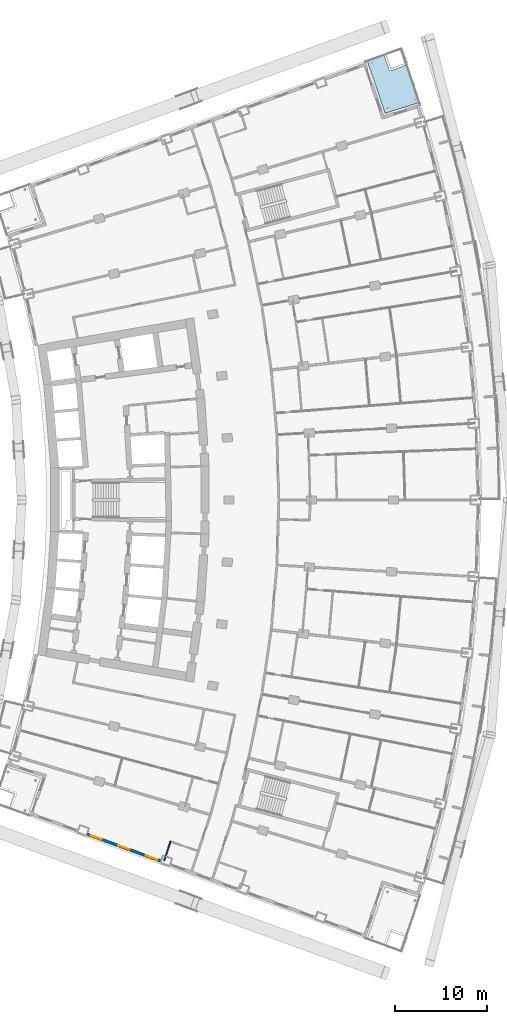
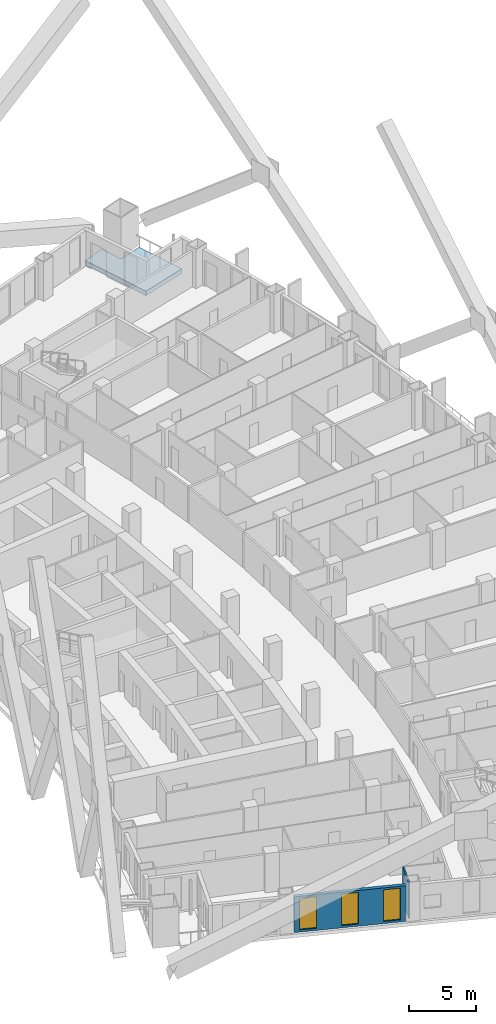
# One storey, part 10 of 23: 3 windows, 2 walls, 1 slab, 3 openings.
"""IFC4 building model written with IfcOpenShell, lengths in metres."""

from ifc_helpers import new_model, si_unit, direction, frame, frame_2d, origin, place, context, subcontext, project, spatial, polyline, rectangle, outline, extrude, material, layer, layer_set, type_object, element, fill, save


model = new_model("IFC4")

# Units and contexts
model_context = context("Model", 3, precision=1e-05, world=origin(), true_north=direction((0.0, 1.0)))
body_context = subcontext(model_context, "Body", "Model", "MODEL_VIEW")
ifc_project = project(units=[si_unit("LENGTHUNIT", "METRE"), si_unit("AREAUNIT", "SQUARE_METRE"), si_unit("VOLUMEUNIT", "CUBIC_METRE"), si_unit("PLANEANGLEUNIT", "RADIAN"), si_unit("MASSUNIT", "GRAM", prefix="KILO")], contexts=[model_context])

# Site, building, storey
site_placement = place(None, origin())
site = spatial("IfcSite", under=ifc_project, at=site_placement, CompositionType="ELEMENT")
building_placement = place(site_placement, origin())
building = spatial("IfcBuilding", under=site, at=building_placement, Name="Alderwake Tower", CompositionType="ELEMENT")
storey_placement = place(building_placement, frame((0.0, 0.0, 53.60009765625)))
storey = spatial("IfcBuildingStorey", under=building, at=storey_placement, Name="L12", CompositionType="ELEMENT", Elevation=53.60009765625)

# Slab
ifc_material_1 = material(Name="Concrete C50/60", Category="concrete")
ifc_layer_1 = layer(ifc_material_1, 0.419921875)
ifc_layer_set_1 = layer_set([ifc_layer_1], Name="Terrace slab 420")
slab_type = type_object("IfcSlabType", Name="Terrace slab 420", PredefinedType="FLOOR", material=ifc_layer_set_1)
slab_placement = place(storey_placement, frame((0.0, 0.0, -0.420166015625)))
element("IfcSlab", 1, at=slab_placement, inside=storey, type_object=slab_type, Name="Corner terrace FN", PredefinedType="FLOOR", context=body_context, shape_type="SweptSolid", body=[
    extrude(outline(polyline([(55.219970703125, 108.135986328125), (55.892822265625, 106.1591796875), (56.537109375, 104.172607421875), (52.72314453125, 102.966796875), (52.096923828125, 104.897705078125), (51.44287109375, 106.8193359375), (50.7607421875, 108.7314453125), (52.59521484375, 109.40087890625), (53.198486328125, 107.71484375), (53.2041015625, 107.701171875), (53.211181640625, 107.688232421875), (53.21923828125, 107.676025390625), (53.228515625, 107.66455078125), (53.239013671875, 107.654296875), (53.25048828125, 107.64501953125), (53.2626953125, 107.63671875), (53.275634765625, 107.6298828125), (53.289306640625, 107.6240234375), (53.30322265625, 107.619873046875), (53.317626953125, 107.616943359375), (53.33251953125, 107.615478515625), (53.34716796875, 107.615478515625), (53.36181640625, 107.616943359375), (53.376220703125, 107.619873046875), (53.390380859375, 107.6240234375), (55.1748046875, 108.2626953125), (55.219970703125, 108.135986328125)])), origin(), (0.0, 0.0, 1.0), 0.420166015625),
])

# Wall, openings, windows
ifc_material_2 = material(Name="Bronze metal cladding on lightweight framing")
ifc_layer_2 = layer(ifc_material_2, 0.300048828125)
ifc_layer_set_2 = layer_set([ifc_layer_2], Name="External wall EW2 bronze metal cladding")
wall_type_1 = type_object("IfcWallType", Name="External wall EW2 bronze metal cladding", PredefinedType="SOLIDWALL", material=ifc_layer_set_2)
wall_1_placement = place(storey_placement, frame((20.398681640625, 24.72412109375, 0.0), z_axis=(0.0, 0.0, 1.0), x_axis=(0.939379066762, -0.342880400328, 0.0)))
wall_1 = element("IfcWall", 2, at=wall_1_placement, inside=storey, type_object=wall_type_1, Name="External wall 5", PredefinedType="SOLIDWALL", context=body_context, shape_type="SweptSolid", body=[
    extrude(rectangle(XDim=8.4951171875, YDim=0.300048828125, at=frame_2d((4.24755859375, 0.0))), origin(), (0.0, 0.0, 1.0), 3.27978515625),
])
opening_1_placement = place(wall_1_placement, frame((0.3974609375, 0.0, 0.199951171875)))
opening_1 = element("IfcOpeningElement", 3, at=opening_1_placement, cuts=wall_1, Name="Opening W1", PredefinedType="OPENING", context=body_context, shape_type="SweptSolid", body=[
    extrude(rectangle(XDim=1.300048828125, YDim=2.89990234375, at=frame_2d((0.64990234375, 1.449951171875))), frame((0.0, 0.159912109375, 0.0), z_axis=(0.0, -1.0, 0.0), x_axis=(1.0, 0.0, 0.0)), (0.0, 0.0, 1.0), 0.320068359375),
])
opening_2_placement = place(wall_1_placement, frame((3.597412109375, 0.0, 0.199951171875)))
opening_2 = element("IfcOpeningElement", 4, at=opening_2_placement, cuts=wall_1, Name="Opening W1", PredefinedType="OPENING", context=body_context, shape_type="SweptSolid", body=[
    extrude(rectangle(XDim=1.300048828125, YDim=2.89990234375, at=frame_2d((0.64990234375, 1.449951171875))), frame((0.0, 0.159912109375, 0.0), z_axis=(0.0, -1.0, 0.0), x_axis=(1.0, 0.0, 0.0)), (0.0, 0.0, 1.0), 0.320068359375),
])
opening_3_placement = place(wall_1_placement, frame((6.797607421875, 0.0, 0.199951171875)))
opening_3 = element("IfcOpeningElement", 5, at=opening_3_placement, cuts=wall_1, Name="Opening W1", PredefinedType="OPENING", context=body_context, shape_type="SweptSolid", body=[
    extrude(rectangle(XDim=1.300048828125, YDim=2.89990234375, at=frame_2d((0.64990234375, 1.449951171875))), frame((0.0, 0.159912109375, 0.0), z_axis=(0.0, -1.0, 0.0), x_axis=(1.0, 0.0, 0.0)), (0.0, 0.0, 1.0), 0.320068359375),
])
ifc_material_3 = material(Name="Bronze tinted glass in aluminium frame", Category="aluminium")
window_type = type_object("IfcWindowType", Name="Window W1 tall fixed and vent", PartitioningType="DOUBLE_PANEL_VERTICAL", PredefinedType="WINDOW", material=ifc_material_3)
window_1_placement = place(opening_1_placement, origin())
window_1 = element("IfcWindow", 6, at=window_1_placement, inside=storey, type_object=window_type, Name="Window W1 tall fixed and vent", OverallHeight=2.89990234375, OverallWidth=1.300048828125, PartitioningType="DOUBLE_PANEL_VERTICAL", PredefinedType="WINDOW", context=body_context, shape_type="SweptSolid", body=[
    extrude(rectangle(XDim=1.300048828125, YDim=2.89990234375, at=frame_2d((0.64990234375, 1.449951171875))), frame((0.0, 0.030029296875, 0.0), z_axis=(0.0, -1.0, 0.0), x_axis=(1.0, 0.0, 0.0)), (0.0, 0.0, 1.0), 0.06005859375),
])
fill(opening_1, window_1)
window_2_placement = place(opening_2_placement, origin())
window_2 = element("IfcWindow", 7, at=window_2_placement, inside=storey, type_object=window_type, Name="Window W1 tall fixed and vent", OverallHeight=2.89990234375, OverallWidth=1.300048828125, PartitioningType="DOUBLE_PANEL_VERTICAL", PredefinedType="WINDOW", context=body_context, shape_type="SweptSolid", body=[
    extrude(rectangle(XDim=1.300048828125, YDim=2.89990234375, at=frame_2d((0.64990234375, 1.449951171875))), frame((0.0, 0.030029296875, 0.0), z_axis=(0.0, -1.0, 0.0), x_axis=(1.0, 0.0, 0.0)), (0.0, 0.0, 1.0), 0.06005859375),
])
fill(opening_2, window_2)
window_3_placement = place(opening_3_placement, origin())
window_3 = element("IfcWindow", 8, at=window_3_placement, inside=storey, type_object=window_type, Name="Window W1 tall fixed and vent", OverallHeight=2.89990234375, OverallWidth=1.300048828125, PartitioningType="DOUBLE_PANEL_VERTICAL", PredefinedType="WINDOW", context=body_context, shape_type="SweptSolid", body=[
    extrude(rectangle(XDim=1.300048828125, YDim=2.89990234375, at=frame_2d((0.64990234375, 1.449951171875))), frame((0.0, 0.030029296875, 0.0), z_axis=(0.0, -1.0, 0.0), x_axis=(1.0, 0.0, 0.0)), (0.0, 0.0, 1.0), 0.06005859375),
])
fill(opening_3, window_3)

# Wall
ifc_material_4 = material(Name="Moisture resistant gypsum board on metal studs")
ifc_layer_3 = layer(ifc_material_4, 0.1201171875)
ifc_layer_set_3 = layer_set([ifc_layer_3], Name="Wet room partition 120")
wall_type_2 = type_object("IfcWallType", Name="Wet room partition 120", PredefinedType="PARTITIONING", material=ifc_layer_set_3)
wall_2_placement = place(storey_placement, frame((29.4609375, 23.975830078125, 0.0), z_axis=(0.0, 0.0, 1.0), x_axis=(-0.31580536125, -0.948823995168, 0.0)))
element("IfcWall", 9, at=wall_2_placement, inside=storey, type_object=wall_type_2, Name="WL/L12/W43", PredefinedType="PARTITIONING", context=body_context, shape_type="SweptSolid", body=[
    extrude(rectangle(XDim=2.25439453125, YDim=0.1201171875, at=frame_2d((1.127197265625, 0.0))), origin(), (0.0, 0.0, 1.0), 3.27978515625),
])

save(model, "model.ifc")
